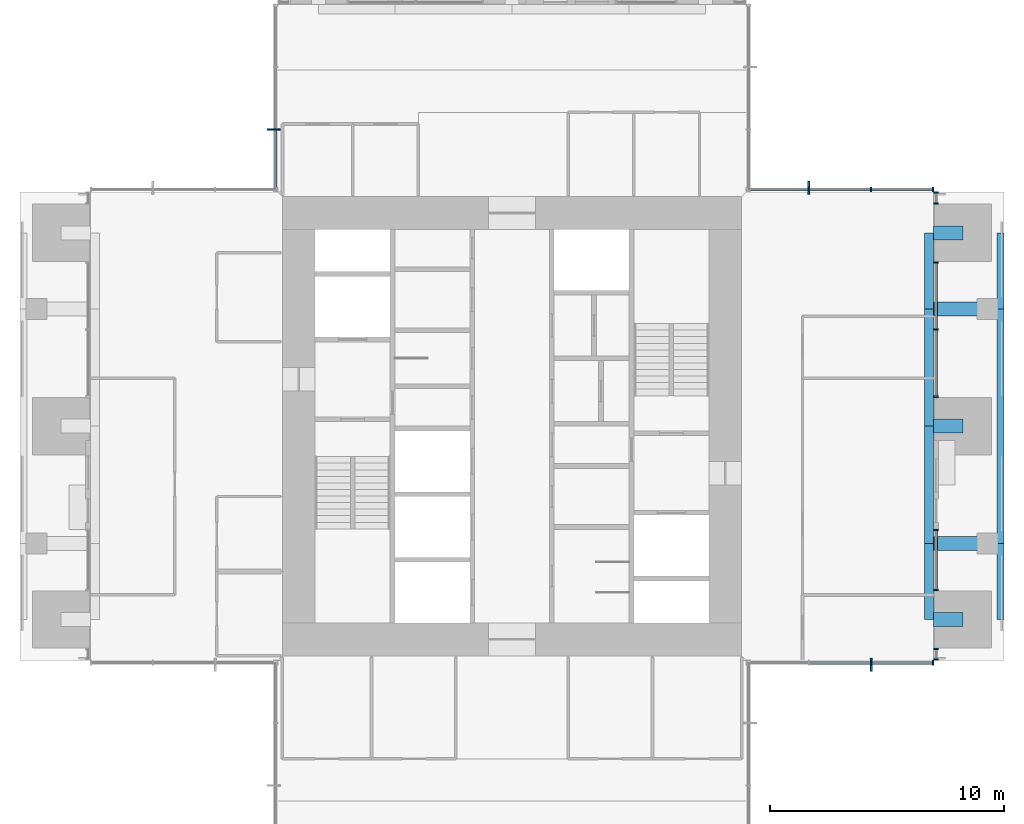
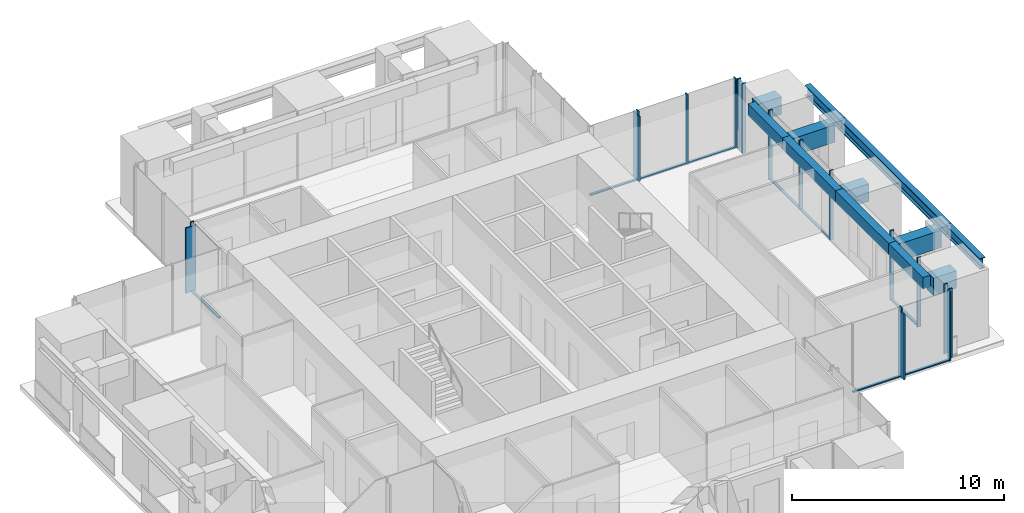
# One storey, part 4 of 17: 27 members, 12 beams, 7 elements without a shape of their own.
"""IFC4 building model written with IfcOpenShell, lengths in metres."""

from ifc_helpers import new_model, si_unit, direction, frame, origin, origin_2d, place, context, subcontext, project, spatial, rectangle, i_section, extrude, material, material_profile, profile_set, type_object, element, aggregate, save


model = new_model("IFC4")

# Units and contexts
model_context = context("Model", 3, precision=1e-05, world=origin(), true_north=direction((0.0, 1.0)))
body_context = subcontext(model_context, "Body", "Model", "MODEL_VIEW")
ifc_project = project(units=[si_unit("LENGTHUNIT", "METRE"), si_unit("AREAUNIT", "SQUARE_METRE"), si_unit("VOLUMEUNIT", "CUBIC_METRE"), si_unit("PLANEANGLEUNIT", "RADIAN"), si_unit("MASSUNIT", "GRAM", prefix="KILO")], contexts=[model_context])

# Site, building, storey
site_placement = place(None, origin())
site = spatial("IfcSite", under=ifc_project, at=site_placement, CompositionType="ELEMENT")
building_placement = place(site_placement, origin())
building = spatial("IfcBuilding", under=site, at=building_placement, Name="Svetlomir Tower", CompositionType="ELEMENT")
storey_placement = place(building_placement, frame((0.0, 0.0, 202.5)))
storey = spatial("IfcBuildingStorey", under=building, at=storey_placement, Name="L48", CompositionType="ELEMENT", Elevation=202.5)

# Curtain wall, member
ifc_material_1 = material(Name="Bronze anodised aluminium curtain wall", Category="aluminium")
curtain_wall_type = type_object("IfcCurtainWallType", Name="CURTAIN WALL CW1 TOWER OFFICE", PredefinedType="NOTDEFINED", material=ifc_material_1)
curtain_wall_1_placement = place(storey_placement, origin())
curtain_wall_1 = element("IfcCurtainWall", 1, at=curtain_wall_1_placement, inside=storey, type_object=curtain_wall_type, Name="Curtain wall CW1 L48", PredefinedType="NOTDEFINED")
ifc_material_2 = material(Name="Bronze anodised aluminium", Category="aluminium")
ifc_material_profile_1 = material_profile(ifc_material_2, rectangle(XDim=0.080078125, YDim=0.550048828125, at=origin_2d()), Name="FIN 80x550")
ifc_profile_set_1 = profile_set([ifc_material_profile_1], Name="Bronze anodised aluminium 6063-T6")
member_type_1 = type_object("IfcMemberType", Name="BRONZE FIN 80x550", PredefinedType="USERDEFINED", material=ifc_profile_set_1)
member_1_placement = place(storey_placement, frame((36.333251953125, 10.824951171875, 0.0), z_axis=(0.0, 0.0, 1.0), x_axis=(1.0, 0.0, 0.0)))
member_1 = element("IfcMember", 2, at=member_1_placement, type_object=member_type_1, Name="Bronze fin L48", ObjectType="FIN", PredefinedType="USERDEFINED", context=body_context, shape_type="SweptSolid", body=[
    extrude(rectangle(XDim=0.080078125, YDim=0.550048828125, at=origin_2d()), origin(), (0.0, 0.0, 1.0), 3.75),
])

curtain_wall_2_placement = place(storey_placement, origin())
curtain_wall_2 = element("IfcCurtainWall", 3, at=curtain_wall_2_placement, inside=storey, type_object=curtain_wall_type, Name="Curtain wall CW1 L48", PredefinedType="NOTDEFINED")
member_2_placement = place(storey_placement, frame((33.666748046875, 31.175048828125, 0.0), z_axis=(0.0, 0.0, 1.0), x_axis=(1.0, 0.0, 0.0)))
member_2 = element("IfcMember", 4, at=member_2_placement, type_object=member_type_1, Name="Bronze fin L48", ObjectType="FIN", PredefinedType="USERDEFINED", context=body_context, shape_type="SweptSolid", body=[
    extrude(rectangle(XDim=0.080078125, YDim=0.550048828125, at=origin_2d()), origin(), (0.0, 0.0, 1.0), 3.75),
])

curtain_wall_3_placement = place(storey_placement, origin())
curtain_wall_3 = element("IfcCurtainWall", 5, at=curtain_wall_3_placement, inside=storey, type_object=curtain_wall_type, Name="Curtain wall CW1 L48", PredefinedType="NOTDEFINED")
member_3_placement = place(storey_placement, frame((10.824951171875, 33.666748046875, 0.0), z_axis=(0.0, 0.0, 1.0), x_axis=(0.0, 1.0, 0.0)))
member_3 = element("IfcMember", 6, at=member_3_placement, type_object=member_type_1, Name="Bronze fin L48", ObjectType="FIN", PredefinedType="USERDEFINED", context=body_context, shape_type="SweptSolid", body=[
    extrude(rectangle(XDim=0.080078125, YDim=0.550048828125, at=origin_2d()), origin(), (0.0, 0.0, 1.0), 3.75),
])

# Member
ifc_material_3 = material(Name="Bronze anodised aluminium", Category="aluminium")
ifc_material_profile_2 = material_profile(ifc_material_3, rectangle(XDim=0.06494140625, YDim=0.199951171875, at=origin_2d()), Name="AL 65x200")
ifc_profile_set_2 = profile_set([ifc_material_profile_2], Name="Bronze anodised aluminium 6063-T6")
member_type_2 = type_object("IfcMemberType", Name="CW1 MULLION 65x200", PredefinedType="MULLION", material=ifc_profile_set_2)
member_4_placement = place(storey_placement, frame((36.333251953125, 10.89990234375, 0.0), z_axis=(0.0, 0.0, 1.0), x_axis=(1.0, 0.0, 0.0)))
member_4 = element("IfcMember", 7, at=member_4_placement, type_object=member_type_2, Name="CW1 mullion 3", PredefinedType="MULLION", context=body_context, shape_type="SweptSolid", body=[
    extrude(rectangle(XDim=0.06494140625, YDim=0.199951171875, at=origin_2d()), origin(), (0.0, 0.0, 1.0), 4.0),
])

member_5_placement = place(storey_placement, frame((38.967529296875, 10.89990234375, 0.0), z_axis=(0.0, 0.0, 1.0), x_axis=(1.0, 0.0, 0.0)))
member_5 = element("IfcMember", 8, at=member_5_placement, type_object=member_type_2, Name="CW1 mullion 4", PredefinedType="MULLION", context=body_context, shape_type="SweptSolid", body=[
    extrude(rectangle(XDim=0.06494140625, YDim=0.199951171875, at=origin_2d()), origin(), (0.0, 0.0, 1.0), 4.0),
])

# Curtain wall, members
curtain_wall_4_placement = place(storey_placement, origin())
curtain_wall_4 = element("IfcCurtainWall", 9, at=curtain_wall_4_placement, inside=storey, type_object=curtain_wall_type, Name="Curtain wall CW1 L48", PredefinedType="NOTDEFINED")
member_6_placement = place(storey_placement, frame((39.10009765625, 11.032470703125, 0.0), z_axis=(0.0, 0.0, 1.0), x_axis=(0.0, 1.0, 0.0)))
member_6 = element("IfcMember", 10, at=member_6_placement, type_object=member_type_2, Name="CW1 mullion 1", PredefinedType="MULLION", context=body_context, shape_type="SweptSolid", body=[
    extrude(rectangle(XDim=0.06494140625, YDim=0.199951171875, at=origin_2d()), origin(), (0.0, 0.0, 1.0), 4.0),
])
member_7_placement = place(storey_placement, frame((39.10009765625, 11.492431640625, 0.0), z_axis=(0.0, 0.0, 1.0), x_axis=(0.0, 1.0, 0.0)))
member_7 = element("IfcMember", 11, at=member_7_placement, type_object=member_type_2, Name="CW1 mullion 2", PredefinedType="MULLION", context=body_context, shape_type="SweptSolid", body=[
    extrude(rectangle(XDim=0.06494140625, YDim=0.199951171875, at=origin_2d()), origin(), (0.0, 0.0, 1.0), 4.0),
])
aggregate(curtain_wall_4, [member_6, member_7])

curtain_wall_5_placement = place(storey_placement, origin())
curtain_wall_5 = element("IfcCurtainWall", 12, at=curtain_wall_5_placement, inside=storey, type_object=curtain_wall_type, Name="Curtain wall CW1 L48", PredefinedType="NOTDEFINED")
member_8_placement = place(storey_placement, frame((39.10009765625, 14.007568359375, 0.0), z_axis=(0.0, 0.0, 1.0), x_axis=(0.0, 1.0, 0.0)))
member_8 = element("IfcMember", 13, at=member_8_placement, type_object=member_type_2, Name="CW1 mullion 1", PredefinedType="MULLION", context=body_context, shape_type="SweptSolid", body=[
    extrude(rectangle(XDim=0.06494140625, YDim=0.199951171875, at=origin_2d()), origin(), (0.0, 0.0, 1.0), 4.0),
])
member_9_placement = place(storey_placement, frame((39.10009765625, 16.5673828125, 0.0), z_axis=(0.0, 0.0, 1.0), x_axis=(0.0, 1.0, 0.0)))
member_9 = element("IfcMember", 14, at=member_9_placement, type_object=member_type_2, Name="CW1 mullion 2", PredefinedType="MULLION", context=body_context, shape_type="SweptSolid", body=[
    extrude(rectangle(XDim=0.06494140625, YDim=0.199951171875, at=origin_2d()), origin(), (0.0, 0.0, 1.0), 4.0),
])

curtain_wall_6_placement = place(storey_placement, origin())
curtain_wall_6 = element("IfcCurtainWall", 15, at=curtain_wall_6_placement, inside=storey, type_object=curtain_wall_type, Name="Curtain wall CW1 L48", PredefinedType="NOTDEFINED")
member_10_placement = place(storey_placement, frame((39.10009765625, 22.257568359375, 0.0), z_axis=(0.0, 0.0, 1.0), x_axis=(0.0, 1.0, 0.0)))
member_10 = element("IfcMember", 16, at=member_10_placement, type_object=member_type_2, Name="CW1 mullion 1", PredefinedType="MULLION", context=body_context, shape_type="SweptSolid", body=[
    extrude(rectangle(XDim=0.06494140625, YDim=0.199951171875, at=origin_2d()), origin(), (0.0, 0.0, 1.0), 4.0),
])
member_11_placement = place(storey_placement, frame((39.10009765625, 25.125, 0.0), z_axis=(0.0, 0.0, 1.0), x_axis=(0.0, 1.0, 0.0)))
member_11 = element("IfcMember", 17, at=member_11_placement, type_object=member_type_2, Name="CW1 mullion 2", PredefinedType="MULLION", context=body_context, shape_type="SweptSolid", body=[
    extrude(rectangle(XDim=0.06494140625, YDim=0.199951171875, at=origin_2d()), origin(), (0.0, 0.0, 1.0), 4.0),
])
member_12_placement = place(storey_placement, frame((39.10009765625, 27.992431640625, 0.0), z_axis=(0.0, 0.0, 1.0), x_axis=(0.0, 1.0, 0.0)))
member_12 = element("IfcMember", 18, at=member_12_placement, type_object=member_type_2, Name="CW1 mullion 3", PredefinedType="MULLION", context=body_context, shape_type="SweptSolid", body=[
    extrude(rectangle(XDim=0.06494140625, YDim=0.199951171875, at=origin_2d()), origin(), (0.0, 0.0, 1.0), 4.0),
])

curtain_wall_7_placement = place(storey_placement, origin())
curtain_wall_7 = element("IfcCurtainWall", 19, at=curtain_wall_7_placement, inside=storey, type_object=curtain_wall_type, Name="Curtain wall CW1 L48", PredefinedType="NOTDEFINED")
member_13_placement = place(storey_placement, frame((39.10009765625, 30.507568359375, 0.0), z_axis=(0.0, 0.0, 1.0), x_axis=(0.0, 1.0, 0.0)))
member_13 = element("IfcMember", 20, at=member_13_placement, type_object=member_type_2, Name="CW1 mullion 1", PredefinedType="MULLION", context=body_context, shape_type="SweptSolid", body=[
    extrude(rectangle(XDim=0.06494140625, YDim=0.199951171875, at=origin_2d()), origin(), (0.0, 0.0, 1.0), 4.0),
])
member_14_placement = place(storey_placement, frame((39.10009765625, 30.967529296875, 0.0), z_axis=(0.0, 0.0, 1.0), x_axis=(0.0, 1.0, 0.0)))
member_14 = element("IfcMember", 21, at=member_14_placement, type_object=member_type_2, Name="CW1 mullion 2", PredefinedType="MULLION", context=body_context, shape_type="SweptSolid", body=[
    extrude(rectangle(XDim=0.06494140625, YDim=0.199951171875, at=origin_2d()), origin(), (0.0, 0.0, 1.0), 4.0),
])
aggregate(curtain_wall_7, [member_13, member_14])

# Member
member_15_placement = place(storey_placement, frame((38.967529296875, 31.10009765625, 0.0), z_axis=(0.0, 0.0, 1.0), x_axis=(-1.0, 0.0, 0.0)))
member_15 = element("IfcMember", 22, at=member_15_placement, type_object=member_type_2, Name="CW1 mullion 1", PredefinedType="MULLION", context=body_context, shape_type="SweptSolid", body=[
    extrude(rectangle(XDim=0.06494140625, YDim=0.199951171875, at=origin_2d()), origin(), (0.0, 0.0, 1.0), 4.0),
])

member_16_placement = place(storey_placement, frame((36.333251953125, 31.10009765625, 0.0), z_axis=(0.0, 0.0, 1.0), x_axis=(-1.0, 0.0, 0.0)))
member_16 = element("IfcMember", 23, at=member_16_placement, type_object=member_type_2, Name="CW1 mullion 2", PredefinedType="MULLION", context=body_context, shape_type="SweptSolid", body=[
    extrude(rectangle(XDim=0.06494140625, YDim=0.199951171875, at=origin_2d()), origin(), (0.0, 0.0, 1.0), 4.0),
])

member_17_placement = place(storey_placement, frame((33.666748046875, 31.10009765625, 0.0), z_axis=(0.0, 0.0, 1.0), x_axis=(-1.0, 0.0, 0.0)))
member_17 = element("IfcMember", 24, at=member_17_placement, type_object=member_type_2, Name="CW1 mullion 3", PredefinedType="MULLION", context=body_context, shape_type="SweptSolid", body=[
    extrude(rectangle(XDim=0.06494140625, YDim=0.199951171875, at=origin_2d()), origin(), (0.0, 0.0, 1.0), 4.0),
])

member_18_placement = place(storey_placement, frame((10.89990234375, 33.666748046875, 0.0), z_axis=(0.0, 0.0, 1.0), x_axis=(0.0, -1.0, 0.0)))
member_18 = element("IfcMember", 25, at=member_18_placement, type_object=member_type_2, Name="CW1 mullion 3", PredefinedType="MULLION", context=body_context, shape_type="SweptSolid", body=[
    extrude(rectangle(XDim=0.06494140625, YDim=0.199951171875, at=origin_2d()), origin(), (0.0, 0.0, 1.0), 4.0),
])

ifc_material_4 = material(Name="Bronze anodised aluminium", Category="aluminium")
ifc_material_profile_3 = material_profile(ifc_material_4, rectangle(XDim=0.139892578125, YDim=0.06494140625, at=origin_2d()), Name="AL 140x65")
ifc_profile_set_3 = profile_set([ifc_material_profile_3], Name="Bronze anodised aluminium 6063-T6")
member_type_3 = type_object("IfcMemberType", Name="CW1 TRANSOM 65x140", PredefinedType="USERDEFINED", material=ifc_profile_set_3)
member_19_placement = place(storey_placement, frame((33.69921875, 10.89990234375, 0.032470703125), z_axis=(1.0, 0.0, 0.0), x_axis=(0.0, 1.0, 0.0)))
member_19 = element("IfcMember", 26, at=member_19_placement, type_object=member_type_3, Name="CW1 transom 2.1", ObjectType="TRANSOM", PredefinedType="USERDEFINED", context=body_context, shape_type="SweptSolid", body=[
    extrude(rectangle(XDim=0.139892578125, YDim=0.06494140625, at=origin_2d()), origin(), (0.0, 0.0, 1.0), 2.6015625),
])

member_20_placement = place(storey_placement, frame((36.36572265625, 10.89990234375, 0.032470703125), z_axis=(1.0, 0.0, 0.0), x_axis=(0.0, 1.0, 0.0)))
member_20 = element("IfcMember", 27, at=member_20_placement, type_object=member_type_3, Name="CW1 transom 3.1", ObjectType="TRANSOM", PredefinedType="USERDEFINED", context=body_context, shape_type="SweptSolid", body=[
    extrude(rectangle(XDim=0.139892578125, YDim=0.06494140625, at=origin_2d()), origin(), (0.0, 0.0, 1.0), 2.5693359375),
])

aggregate(curtain_wall_1, [member_4, member_5, member_19, member_20, member_1])

member_21_placement = place(storey_placement, frame((39.10009765625, 14.0400390625, 0.032470703125), z_axis=(0.0, 1.0, 0.0), x_axis=(-1.0, 0.0, 0.0)))
member_21 = element("IfcMember", 28, at=member_21_placement, type_object=member_type_3, Name="CW1 transom 1.1", ObjectType="TRANSOM", PredefinedType="USERDEFINED", context=body_context, shape_type="SweptSolid", body=[
    extrude(rectangle(XDim=0.139892578125, YDim=0.06494140625, at=origin_2d()), origin(), (0.0, 0.0, 1.0), 2.494873046875),
])

aggregate(curtain_wall_5, [member_8, member_9, member_21])

member_22_placement = place(storey_placement, frame((39.10009765625, 22.2900390625, 0.032470703125), z_axis=(0.0, 1.0, 0.0), x_axis=(-1.0, 0.0, 0.0)))
member_22 = element("IfcMember", 29, at=member_22_placement, type_object=member_type_3, Name="CW1 transom 1.1", ObjectType="TRANSOM", PredefinedType="USERDEFINED", context=body_context, shape_type="SweptSolid", body=[
    extrude(rectangle(XDim=0.139892578125, YDim=0.06494140625, at=origin_2d()), origin(), (0.0, 0.0, 1.0), 2.802490234375),
])

member_23_placement = place(storey_placement, frame((39.10009765625, 25.157470703125, 0.032470703125), z_axis=(0.0, 1.0, 0.0), x_axis=(-1.0, 0.0, 0.0)))
member_23 = element("IfcMember", 30, at=member_23_placement, type_object=member_type_3, Name="CW1 transom 2.1", ObjectType="TRANSOM", PredefinedType="USERDEFINED", context=body_context, shape_type="SweptSolid", body=[
    extrude(rectangle(XDim=0.139892578125, YDim=0.06494140625, at=origin_2d()), origin(), (0.0, 0.0, 1.0), 2.802490234375),
])

aggregate(curtain_wall_6, [member_10, member_11, member_12, member_22, member_23])

member_24_placement = place(storey_placement, frame((38.93505859375, 31.10009765625, 0.032470703125), z_axis=(-1.0, 0.0, 0.0), x_axis=(0.0, -1.0, 0.0)))
member_24 = element("IfcMember", 31, at=member_24_placement, type_object=member_type_3, Name="CW1 transom 1.1", ObjectType="TRANSOM", PredefinedType="USERDEFINED", context=body_context, shape_type="SweptSolid", body=[
    extrude(rectangle(XDim=0.139892578125, YDim=0.06494140625, at=origin_2d()), origin(), (0.0, 0.0, 1.0), 2.5693359375),
])

member_25_placement = place(storey_placement, frame((36.30078125, 31.10009765625, 0.032470703125), z_axis=(-1.0, 0.0, 0.0), x_axis=(0.0, -1.0, 0.0)))
member_25 = element("IfcMember", 32, at=member_25_placement, type_object=member_type_3, Name="CW1 transom 2.1", ObjectType="TRANSOM", PredefinedType="USERDEFINED", context=body_context, shape_type="SweptSolid", body=[
    extrude(rectangle(XDim=0.139892578125, YDim=0.06494140625, at=origin_2d()), origin(), (0.0, 0.0, 1.0), 2.6015625),
])

member_26_placement = place(storey_placement, frame((33.63427734375, 31.10009765625, 0.032470703125), z_axis=(-1.0, 0.0, 0.0), x_axis=(0.0, -1.0, 0.0)))
member_26 = element("IfcMember", 33, at=member_26_placement, type_object=member_type_3, Name="CW1 transom 3.1", ObjectType="TRANSOM", PredefinedType="USERDEFINED", context=body_context, shape_type="SweptSolid", body=[
    extrude(rectangle(XDim=0.139892578125, YDim=0.06494140625, at=origin_2d()), origin(), (0.0, 0.0, 1.0), 2.5693359375),
])

aggregate(curtain_wall_2, [member_15, member_16, member_17, member_24, member_25, member_26, member_2])

member_27_placement = place(storey_placement, frame((10.89990234375, 33.63427734375, 0.032470703125), z_axis=(0.0, -1.0, 0.0), x_axis=(1.0, 0.0, 0.0)))
member_27 = element("IfcMember", 34, at=member_27_placement, type_object=member_type_3, Name="CW1 transom 3.1", ObjectType="TRANSOM", PredefinedType="USERDEFINED", context=body_context, shape_type="SweptSolid", body=[
    extrude(rectangle(XDim=0.139892578125, YDim=0.06494140625, at=origin_2d()), origin(), (0.0, 0.0, 1.0), 2.5693359375),
])

aggregate(curtain_wall_3, [member_18, member_27, member_3])

# Beams
ifc_material_5 = material(Name="Steel S355", Category="steel")
ifc_material_profile_4 = material_profile(ifc_material_5, i_section(OverallWidth=0.304931640625, OverallDepth=0.6201171875, WebThickness=0.02099609375, FlangeThickness=0.0400390625, FilletRadius=0.027099609375, at=origin_2d()), Name="HEM 600")
ifc_profile_set_4 = profile_set([ifc_material_profile_4], Name="Steel S355")
beam_type_1 = type_object("IfcBeamType", Name="EDGE BEAM HEM 600", PredefinedType="SPANDREL", material=ifc_profile_set_4)
beam_1_placement = place(storey_placement, frame((41.847412109375, 12.75, 3.43994140625), z_axis=(0.0, 1.0, 0.0), x_axis=(-1.0, 0.0, 0.0)))
element("IfcBeam", 35, at=beam_1_placement, inside=storey, type_object=beam_type_1, Name="Edge beam 42/11 to 42/16 under L49", PredefinedType="SPANDREL", context=body_context, shape_type="SweptSolid", body=[
    extrude(i_section(OverallWidth=0.304931640625, OverallDepth=0.6201171875, WebThickness=0.02099609375, FlangeThickness=0.0400390625, FilletRadius=0.027099609375, at=origin_2d()), origin(), (0.0, 0.0, 1.0), 3.25),
])
beam_2_placement = place(storey_placement, frame((41.847412109375, 16.0, 3.43994140625), z_axis=(0.0, 1.0, 0.0), x_axis=(-1.0, 0.0, 0.0)))
element("IfcBeam", 36, at=beam_2_placement, inside=storey, type_object=beam_type_1, Name="Edge beam 42/16 to 42/26 under L49", PredefinedType="SPANDREL", context=body_context, shape_type="SweptSolid", body=[
    extrude(i_section(OverallWidth=0.304931640625, OverallDepth=0.6201171875, WebThickness=0.02099609375, FlangeThickness=0.0400390625, FilletRadius=0.027099609375, at=origin_2d()), origin(), (0.0, 0.0, 1.0), 10.0),
])
beam_3_placement = place(storey_placement, frame((41.847412109375, 26.0, 3.43994140625), z_axis=(0.0, 1.0, 0.0), x_axis=(-1.0, 0.0, 0.0)))
element("IfcBeam", 37, at=beam_3_placement, inside=storey, type_object=beam_type_1, Name="Edge beam 42/26 to 42/31 under L49", PredefinedType="SPANDREL", context=body_context, shape_type="SweptSolid", body=[
    extrude(i_section(OverallWidth=0.304931640625, OverallDepth=0.6201171875, WebThickness=0.02099609375, FlangeThickness=0.0400390625, FilletRadius=0.027099609375, at=origin_2d()), origin(), (0.0, 0.0, 1.0), 3.25),
])
ifc_material_6 = material(Name="Concrete C60/75", Category="concrete")
ifc_material_profile_5 = material_profile(ifc_material_6, rectangle(XDim=0.39990234375, YDim=0.64990234375, at=origin_2d()), Name="RC 400x650")
ifc_profile_set_5 = profile_set([ifc_material_profile_5], Name="Concrete C60/75")
beam_type_2 = type_object("IfcBeamType", Name="FACADE EDGE BEAM RC 400x650", PredefinedType="BEAM", material=ifc_profile_set_5)
beam_4_placement = place(storey_placement, frame((38.800048828125, 12.75, 3.425048828125), z_axis=(0.0, 1.0, 0.0), x_axis=(-1.0, 0.0, 0.0)))
element("IfcBeam", 38, at=beam_4_placement, inside=storey, type_object=beam_type_2, Name="Facade edge beam E 11 to 16 under L49", PredefinedType="BEAM", context=body_context, shape_type="SweptSolid", body=[
    extrude(rectangle(XDim=0.39990234375, YDim=0.64990234375, at=origin_2d()), origin(), (0.0, 0.0, 1.0), 3.25),
])
for number, where, z_axis, x_axis, name in (
    (39, (38.800048828125, 16.0, 3.425048828125), (0.0, 1.0, 0.0), (-1.0, 0.0, 0.0), "Facade edge beam E 16 to 21 under L49"),
    (40, (38.800048828125, 21.0, 3.425048828125), (0.0, 1.0, 0.0), (-1.0, 0.0, 0.0), "Facade edge beam E 21 to 26 under L49"),
):
    element("IfcBeam", number, at=place(storey_placement, frame(where, z_axis=z_axis, x_axis=x_axis)), inside=storey, type_object=beam_type_2, Name=name, PredefinedType="BEAM", context=body_context, shape_type="SweptSolid", body=[
        extrude(rectangle(XDim=0.39990234375, YDim=0.64990234375, at=origin_2d()), origin(), (0.0, 0.0, 1.0), 5.0),
    ])
beam_5_placement = place(storey_placement, frame((38.800048828125, 26.0, 3.425048828125), z_axis=(0.0, 1.0, 0.0), x_axis=(-1.0, 0.0, 0.0)))
element("IfcBeam", 41, at=beam_5_placement, inside=storey, type_object=beam_type_2, Name="Facade edge beam E 26 to 31 under L49", PredefinedType="BEAM", context=body_context, shape_type="SweptSolid", body=[
    extrude(rectangle(XDim=0.39990234375, YDim=0.64990234375, at=origin_2d()), origin(), (0.0, 0.0, 1.0), 3.25),
])
ifc_material_7 = material(Name="Concrete C60/75", Category="concrete")
ifc_material_profile_6 = material_profile(ifc_material_7, rectangle(XDim=0.60009765625, YDim=1.0, at=origin_2d()), Name="RC 600x1000")
ifc_profile_set_6 = profile_set([ifc_material_profile_6], Name="Concrete C60/75")
beam_type_3 = type_object("IfcBeamType", Name="LOGGIA LINK BEAM RC 600x1000", PredefinedType="BEAM", material=ifc_profile_set_6)
beam_6_placement = place(storey_placement, frame((40.25, 12.75, 3.25), z_axis=(-1.0, 0.0, 0.0), x_axis=(0.0, -1.0, 0.0)))
element("IfcBeam", 42, at=beam_6_placement, inside=storey, type_object=beam_type_3, Name="Loggia link beam E 11 under L49", PredefinedType="BEAM", context=body_context, shape_type="SweptSolid", body=[
    extrude(rectangle(XDim=0.60009765625, YDim=1.0, at=origin_2d()), origin(), (0.0, 0.0, 1.0), 1.25),
])
beam_7_placement = place(storey_placement, frame((41.300048828125, 16.0, 3.25), z_axis=(-1.0, 0.0, 0.0), x_axis=(0.0, -1.0, 0.0)))
element("IfcBeam", 43, at=beam_7_placement, inside=storey, type_object=beam_type_3, Name="Loggia link beam E 16 under L49", PredefinedType="BEAM", context=body_context, shape_type="SweptSolid", body=[
    extrude(rectangle(XDim=0.60009765625, YDim=1.0, at=origin_2d()), origin(), (0.0, 0.0, 1.0), 2.300048828125),
])
beam_8_placement = place(storey_placement, frame((40.25, 21.0, 3.25), z_axis=(-1.0, 0.0, 0.0), x_axis=(0.0, -1.0, 0.0)))
element("IfcBeam", 44, at=beam_8_placement, inside=storey, type_object=beam_type_3, Name="Loggia link beam E 21 under L49", PredefinedType="BEAM", context=body_context, shape_type="SweptSolid", body=[
    extrude(rectangle(XDim=0.60009765625, YDim=1.0, at=origin_2d()), origin(), (0.0, 0.0, 1.0), 1.25),
])
beam_9_placement = place(storey_placement, frame((41.300048828125, 26.0, 3.25), z_axis=(-1.0, 0.0, 0.0), x_axis=(0.0, -1.0, 0.0)))
element("IfcBeam", 45, at=beam_9_placement, inside=storey, type_object=beam_type_3, Name="Loggia link beam E 26 under L49", PredefinedType="BEAM", context=body_context, shape_type="SweptSolid", body=[
    extrude(rectangle(XDim=0.60009765625, YDim=1.0, at=origin_2d()), origin(), (0.0, 0.0, 1.0), 2.300048828125),
])
beam_10_placement = place(storey_placement, frame((40.25, 29.25, 3.25), z_axis=(-1.0, 0.0, 0.0), x_axis=(0.0, -1.0, 0.0)))
element("IfcBeam", 46, at=beam_10_placement, inside=storey, type_object=beam_type_3, Name="Loggia link beam E 31 under L49", PredefinedType="BEAM", context=body_context, shape_type="SweptSolid", body=[
    extrude(rectangle(XDim=0.60009765625, YDim=1.0, at=origin_2d()), origin(), (0.0, 0.0, 1.0), 1.25),
])

save(model, "model.ifc")
